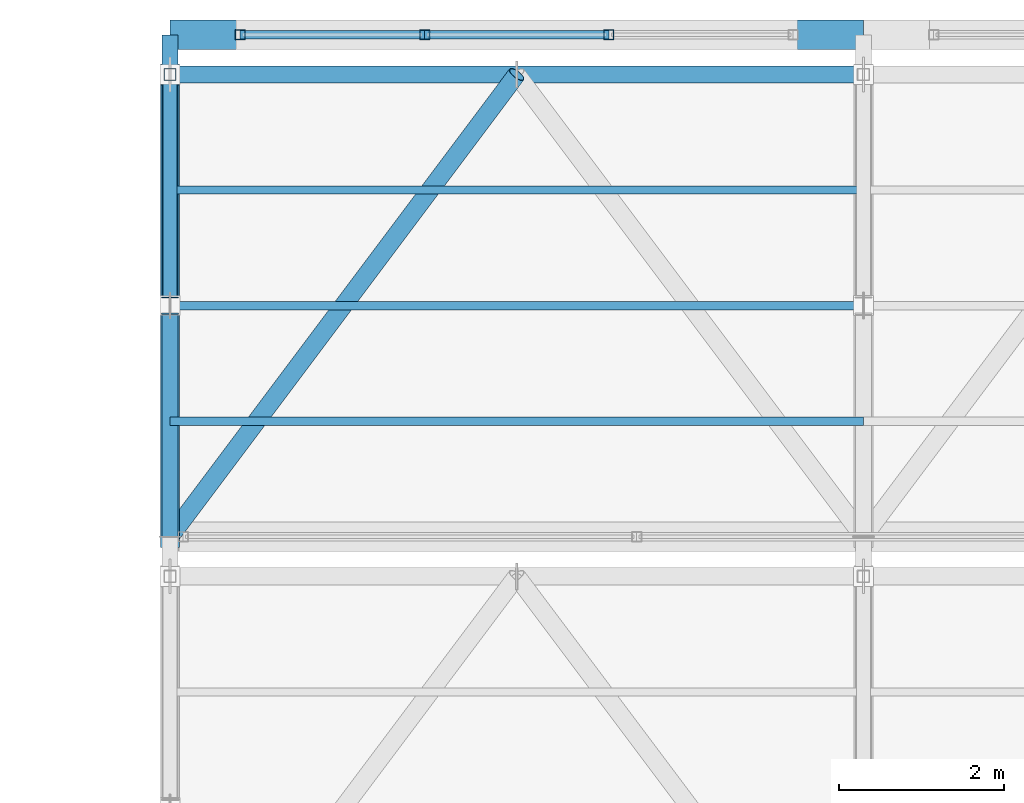
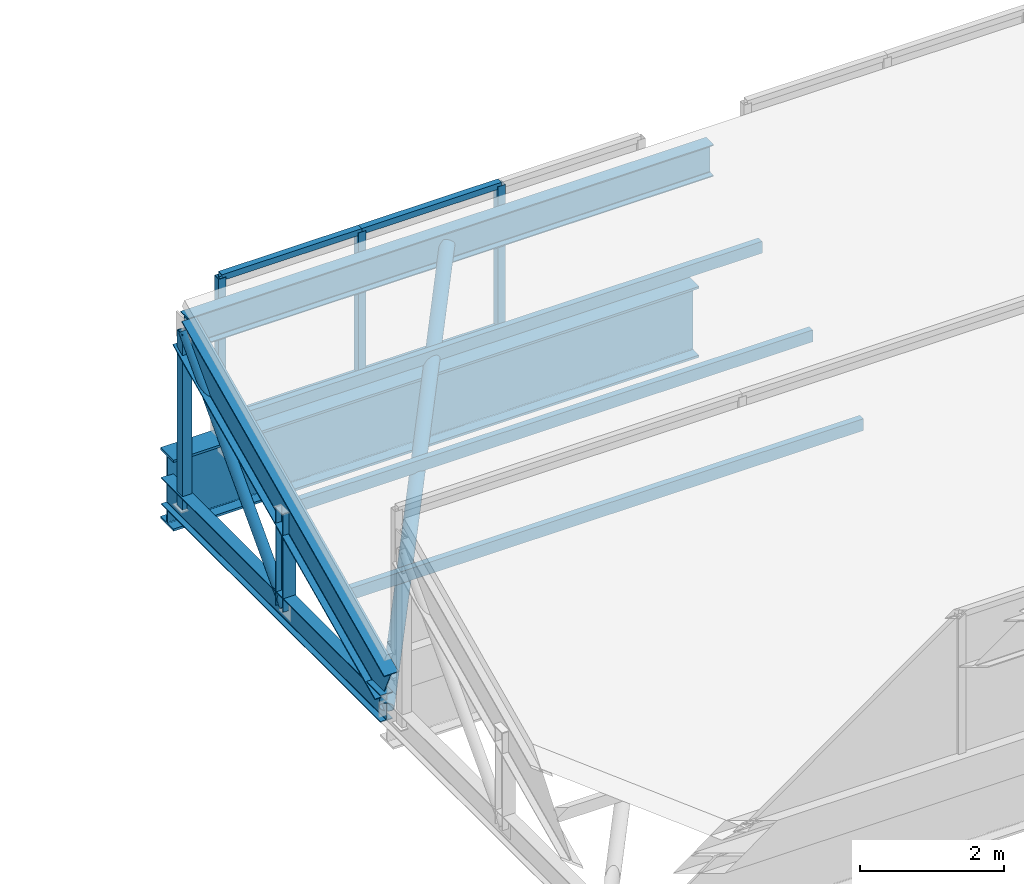
# One storey, part 68 of 217: 17 members, 1 beam, 1 element without a shape of its own.
"""IFC4 building model written with IfcOpenShell, lengths in metres."""

from ifc_helpers import new_model, si_unit, direction, frame, origin, origin_2d, place, context, subcontext, project, spatial, hollow_rectangle, hollow_circle, i_section, extrude, material, material_profile, profile_set, type_object, element, aggregate, save


model = new_model("IFC4")

# Units and contexts
model_context = context("Model", 3, precision=1e-05, world=origin(), true_north=direction((0.0, 1.0)))
body_context = subcontext(model_context, "Body", "Model", "MODEL_VIEW")
ifc_project = project(units=[si_unit("LENGTHUNIT", "METRE"), si_unit("AREAUNIT", "SQUARE_METRE"), si_unit("VOLUMEUNIT", "CUBIC_METRE"), si_unit("PLANEANGLEUNIT", "RADIAN"), si_unit("MASSUNIT", "GRAM", prefix="KILO")], contexts=[model_context])

# Site, building, storey
site_placement = place(None, origin())
site = spatial("IfcSite", under=ifc_project, at=site_placement, CompositionType="ELEMENT")
building_placement = place(site_placement, origin())
building = spatial("IfcBuilding", under=site, at=building_placement, Name="Zuvorla Pavilion Media Centre", CompositionType="ELEMENT")
storey_placement = place(building_placement, frame((0.0, 0.0, 9.60009765625)))
storey = spatial("IfcBuildingStorey", under=building, at=storey_placement, Name="L02", CompositionType="ELEMENT", Elevation=9.60009765625)

# Beam
ifc_material_1 = material(Name="Steel S355", Category="steel")
ifc_material_profile_1 = material_profile(ifc_material_1, i_section(OverallWidth=0.360107421875, OverallDepth=1.199951171875, WebThickness=0.02001953125, FlangeThickness=0.0380859375, FilletRadius=0.02392578125, at=origin_2d()), Name="PG 1200x360x38")
ifc_profile_set_1 = profile_set([ifc_material_profile_1], Name="Steel S355")
beam_type = type_object("IfcBeamType", Name="BM-PG1200", PredefinedType="BEAM", material=ifc_profile_set_1)
beam_placement = place(storey_placement, frame((66.800048828125, 120.0, -0.88818359375), z_axis=(1.0, 0.0, 0.0), x_axis=(0.0, 1.0, 0.0)))
element("IfcBeam", 1, at=beam_placement, inside=storey, type_object=beam_type, Name="L02 beam B01 1808", PredefinedType="BEAM", context=body_context, shape_type="SweptSolid", body=[
    extrude(i_section(OverallWidth=0.360107421875, OverallDepth=1.199951171875, WebThickness=0.02001953125, FlangeThickness=0.0380859375, FilletRadius=0.02392578125, at=origin_2d()), origin(), (0.0, 0.0, 1.0), 8.39990234375),
])

# Curtain wall, members
ifc_material_2 = material(Name="Unitised anodised aluminium and solar glass curtain wall", Category="aluminium")
curtain_wall_type = type_object("IfcCurtainWallType", Name="CW-SYS-89", PredefinedType="USERDEFINED", material=ifc_material_2)
curtain_wall_placement = place(storey_placement, origin())
curtain_wall = element("IfcCurtainWall", 2, at=curtain_wall_placement, inside=storey, type_object=curtain_wall_type, Name="L02 curtain wall CW89 216", ObjectType="CURTAIN WALL", PredefinedType="USERDEFINED")
ifc_material_3 = material(Name="Anodised aluminium 6063-T6", Category="aluminium")
ifc_material_profile_2 = material_profile(ifc_material_3, hollow_rectangle(XDim=0.1201171875, YDim=0.1201171875, WallThickness=0.0048828125, at=origin_2d()), Name="ALU MULL 120x120")
ifc_profile_set_2 = profile_set([ifc_material_profile_2], Name="Anodised aluminium 6063-T6")
member_type_1 = type_object("IfcMemberType", Name="CW-MULL-120", PredefinedType="MULLION", material=ifc_profile_set_2)
member_1_placement = place(storey_placement, frame((67.650390625, 120.0, 0.0), z_axis=(0.0, 0.0, 1.0), x_axis=(1.0, 0.0, 0.0)))
member_1 = element("IfcMember", 3, at=member_1_placement, type_object=member_type_1, Name="CW89 mullion 1", PredefinedType="MULLION", context=body_context, shape_type="SweptSolid", body=[
    extrude(hollow_rectangle(XDim=0.1201171875, YDim=0.1201171875, WallThickness=0.0048828125, at=origin_2d()), origin(), (0.0, 0.0, 1.0), 2.419921875),
])
member_2_placement = place(storey_placement, frame((69.883544921875, 120.0, 0.0), z_axis=(0.0, 0.0, 1.0), x_axis=(1.0, 0.0, 0.0)))
member_2 = element("IfcMember", 4, at=member_2_placement, type_object=member_type_1, Name="CW89 mullion 2", PredefinedType="MULLION", context=body_context, shape_type="SweptSolid", body=[
    extrude(hollow_rectangle(XDim=0.1201171875, YDim=0.1201171875, WallThickness=0.0048828125, at=origin_2d()), origin(), (0.0, 0.0, 1.0), 2.419921875),
])
member_3_placement = place(storey_placement, frame((72.116455078125, 120.0, 0.0), z_axis=(0.0, 0.0, 1.0), x_axis=(1.0, 0.0, 0.0)))
member_3 = element("IfcMember", 5, at=member_3_placement, type_object=member_type_1, Name="CW89 mullion 3", PredefinedType="MULLION", context=body_context, shape_type="SweptSolid", body=[
    extrude(hollow_rectangle(XDim=0.1201171875, YDim=0.1201171875, WallThickness=0.0048828125, at=origin_2d()), origin(), (0.0, 0.0, 1.0), 2.419921875),
])
ifc_material_profile_3 = material_profile(ifc_material_3, hollow_rectangle(XDim=0.10009765625, YDim=0.10009765625, WallThickness=0.00439453125, at=origin_2d()), Name="ALU TRAN 100x100")
ifc_profile_set_3 = profile_set([ifc_material_profile_3], Name="Anodised aluminium 6063-T6")
member_type_2 = type_object("IfcMemberType", Name="CW-TRAN-100", PredefinedType="USERDEFINED", material=ifc_profile_set_3)
member_4_placement = place(storey_placement, frame((67.650390625, 120.0, 0.0), z_axis=(1.0, 0.0, 0.0), x_axis=(0.0, 1.0, 0.0)))
member_4 = element("IfcMember", 6, at=member_4_placement, type_object=member_type_2, Name="CW89 transom 1.1", ObjectType="TRANSOM", PredefinedType="USERDEFINED", context=body_context, shape_type="SweptSolid", body=[
    extrude(hollow_rectangle(XDim=0.10009765625, YDim=0.10009765625, WallThickness=0.00439453125, at=origin_2d()), origin(), (0.0, 0.0, 1.0), 2.233154296875),
])
member_5_placement = place(storey_placement, frame((67.650390625, 120.0, 2.419921875), z_axis=(1.0, 0.0, 0.0), x_axis=(0.0, 1.0, 0.0)))
member_5 = element("IfcMember", 7, at=member_5_placement, type_object=member_type_2, Name="CW89 transom 1.2", ObjectType="TRANSOM", PredefinedType="USERDEFINED", context=body_context, shape_type="SweptSolid", body=[
    extrude(hollow_rectangle(XDim=0.10009765625, YDim=0.10009765625, WallThickness=0.00439453125, at=origin_2d()), origin(), (0.0, 0.0, 1.0), 2.233154296875),
])
member_6_placement = place(storey_placement, frame((69.883544921875, 120.0, 0.0), z_axis=(1.0, 0.0, 0.0), x_axis=(0.0, 1.0, 0.0)))
member_6 = element("IfcMember", 8, at=member_6_placement, type_object=member_type_2, Name="CW89 transom 2.1", ObjectType="TRANSOM", PredefinedType="USERDEFINED", context=body_context, shape_type="SweptSolid", body=[
    extrude(hollow_rectangle(XDim=0.10009765625, YDim=0.10009765625, WallThickness=0.00439453125, at=origin_2d()), origin(), (0.0, 0.0, 1.0), 2.23291015625),
])
member_7_placement = place(storey_placement, frame((69.883544921875, 120.0, 2.419921875), z_axis=(1.0, 0.0, 0.0), x_axis=(0.0, 1.0, 0.0)))
member_7 = element("IfcMember", 9, at=member_7_placement, type_object=member_type_2, Name="CW89 transom 2.2", ObjectType="TRANSOM", PredefinedType="USERDEFINED", context=body_context, shape_type="SweptSolid", body=[
    extrude(hollow_rectangle(XDim=0.10009765625, YDim=0.10009765625, WallThickness=0.00439453125, at=origin_2d()), origin(), (0.0, 0.0, 1.0), 2.23291015625),
])
aggregate(curtain_wall, [member_1, member_2, member_3, member_4, member_5, member_6, member_7])

# Members
ifc_material_profile_4 = material_profile(ifc_material_1, hollow_circle(Radius=0.084228515625, WallThickness=0.008056640625, at=origin_2d()), Name="CHS 168.3x8")
ifc_profile_set_4 = profile_set([ifc_material_profile_4], Name="Steel S355")
member_type_3 = type_object("IfcMemberType", Name="MEM-BRC-CHS168", PredefinedType="BRACE", material=ifc_profile_set_4)
member_8_placement = place(storey_placement, frame((66.800048828125, 116.719970703125, -0.880126953125), z_axis=(0.0, 0.68676242614, 0.726881950555), x_axis=(-1.0, 0.0, 0.0)))
element("IfcMember", 10, at=member_8_placement, inside=storey, type_object=member_type_3, Name="L02 diagonal brace TB03 408", PredefinedType="BRACE", context=body_context, shape_type="SweptSolid", body=[
    extrude(hollow_circle(Radius=0.084228515625, WallThickness=0.008056640625, at=origin_2d()), origin(), (0.0, 0.0, 1.0), 4.0771484375),
])
ifc_material_profile_5 = material_profile(ifc_material_1, hollow_circle(Radius=0.109619140625, WallThickness=0.010009765625, at=origin_2d()), Name="CHS 219.1x10")
ifc_profile_set_5 = profile_set([ifc_material_profile_5], Name="Steel S355")
member_type_4 = type_object("IfcMemberType", Name="MEM-BRC-CHS219", PredefinedType="BRACE", material=ifc_profile_set_5)
member_9_placement = place(storey_placement, frame((66.800048828125, 113.919921875, -0.880126953125), z_axis=(0.552511596944, 0.736703540702, 0.389870271191), x_axis=(-0.800008370399, 0.599988839305, 0.0)))
element("IfcMember", 11, at=member_9_placement, inside=storey, type_object=member_type_4, Name="L02 diagonal brace TB02 451", PredefinedType="BRACE", context=body_context, shape_type="SweptSolid", body=[
    extrude(hollow_circle(Radius=0.109619140625, WallThickness=0.010009765625, at=origin_2d()), origin(), (0.0, 0.0, 1.0), 7.6015625),
])
ifc_material_profile_6 = material_profile(ifc_material_1, i_section(OverallWidth=0.19140625, OverallDepth=0.4599609375, WebThickness=0.010009765625, FlangeThickness=0.01611328125, FilletRadius=0.01025390625, at=origin_2d()), Name="UB 457x191x82")
ifc_profile_set_6 = profile_set([ifc_material_profile_6], Name="Steel S355")
member_type_5 = type_object("IfcMemberType", Name="MEM-CHD-UB457", PredefinedType="CHORD", material=ifc_profile_set_6)
member_10_placement = place(storey_placement, frame((66.800048828125, 113.919921875, -0.880126953125), z_axis=(0.0, 1.0, 0.0), x_axis=(-1.0, 0.0, 0.0)))
element("IfcMember", 12, at=member_10_placement, inside=storey, type_object=member_type_5, Name="L02 chord TC03 405", PredefinedType="CHORD", context=body_context, shape_type="SweptSolid", body=[
    extrude(i_section(OverallWidth=0.19140625, OverallDepth=0.4599609375, WebThickness=0.010009765625, FlangeThickness=0.01611328125, FilletRadius=0.01025390625, at=origin_2d()), origin(), (0.0, 0.0, 1.0), 6.080078125),
])
ifc_material_profile_7 = material_profile(ifc_material_1, i_section(OverallWidth=0.2099609375, OverallDepth=0.53662109375, WebThickness=0.0107421875, FlangeThickness=0.017333984375, FilletRadius=0.0126953125, at=origin_2d()), Name="UB 533x210x101")
ifc_profile_set_7 = profile_set([ifc_material_profile_7], Name="Steel S355")
member_type_6 = type_object("IfcMemberType", Name="MEM-CHD-UB533", PredefinedType="CHORD", material=ifc_profile_set_7)
member_11_placement = place(storey_placement, frame((66.800048828125, 119.52001953125, 2.08349609375), z_axis=(1.0, 0.0, 0.0), x_axis=(0.0, 1.0, 0.0)))
element("IfcMember", 13, at=member_11_placement, inside=storey, type_object=member_type_6, Name="L02 chord TC02 450", PredefinedType="CHORD", context=body_context, shape_type="SweptSolid", body=[
    extrude(i_section(OverallWidth=0.2099609375, OverallDepth=0.53662109375, WebThickness=0.0107421875, FlangeThickness=0.017333984375, FilletRadius=0.0126953125, at=origin_2d()), origin(), (0.0, 0.0, 1.0), 8.39990234375),
])
ifc_material_profile_8 = material_profile(ifc_material_1, i_section(OverallWidth=0.22900390625, OverallDepth=0.6123046875, WebThickness=0.011962890625, FlangeThickness=0.01953125, FilletRadius=0.0126953125, at=origin_2d()), Name="UB 610x229x125")
ifc_profile_set_8 = profile_set([ifc_material_profile_8], Name="Steel S355")
member_type_7 = type_object("IfcMemberType", Name="MEM-CHD-UB610", PredefinedType="CHORD", material=ifc_profile_set_8)
member_12_placement = place(storey_placement, frame((66.800048828125, 113.919921875, -0.5166015625), z_axis=(0.0, 0.907005731366, 0.421118277053), x_axis=(-1.0, 0.0, 0.0)))
element("IfcMember", 14, at=member_12_placement, inside=storey, type_object=member_type_7, Name="L02 chord TC01 406", PredefinedType="CHORD", context=body_context, shape_type="SweptSolid", body=[
    extrude(i_section(OverallWidth=0.22900390625, OverallDepth=0.6123046875, WebThickness=0.011962890625, FlangeThickness=0.01953125, FilletRadius=0.0126953125, at=origin_2d()), origin(), (0.0, 0.0, 1.0), 6.17431640625),
])
ifc_material_profile_9 = material_profile(ifc_material_1, hollow_rectangle(XDim=0.10009765625, YDim=0.199951171875, WallThickness=0.008056640625, at=origin_2d()), Name="RHS 200x100x8")
ifc_profile_set_9 = profile_set([ifc_material_profile_9], Name="Steel S355")
member_type_8 = type_object("IfcMemberType", Name="MEM-PUR-RHS200", PredefinedType="PURLIN", material=ifc_profile_set_9)
for number, where, z_axis, x_axis, name in (
    (15, (66.800048828125, 115.320068359375, 0.133544921875), (1.0, 0.0, 0.0), (0.0, 1.0, 0.0), "L02 purlin PR01 453"),
    (16, (66.800048828125, 116.719970703125, 0.783447265625), (1.0, 0.0, 0.0), (0.0, 1.0, 0.0), "L02 purlin PR01 454"),
    (17, (66.800048828125, 118.1201171875, 1.43359375), (1.0, 0.0, 0.0), (0.0, 1.0, 0.0), "L02 purlin PR01 455"),
):
    element("IfcMember", number, at=place(storey_placement, frame(where, z_axis=z_axis, x_axis=x_axis)), inside=storey, type_object=member_type_8, Name=name, PredefinedType="PURLIN", context=body_context, shape_type="SweptSolid", body=[
        extrude(hollow_rectangle(XDim=0.10009765625, YDim=0.199951171875, WallThickness=0.008056640625, at=origin_2d()), origin(), (0.0, 0.0, 1.0), 8.39990234375),
    ])
ifc_material_profile_10 = material_profile(ifc_material_1, hollow_rectangle(XDim=0.14990234375, YDim=0.14990234375, WallThickness=0.008056640625, at=origin_2d()), Name="SHS 150x150x8")
ifc_profile_set_10 = profile_set([ifc_material_profile_10], Name="Steel S355")
member_type_9 = type_object("IfcMemberType", Name="MEM-STR-SHS150", PredefinedType="STRUT", material=ifc_profile_set_10)
member_13_placement = place(storey_placement, frame((66.800048828125, 119.52001953125, -0.880126953125), z_axis=(0.0, 0.0, 1.0), x_axis=(1.0, 0.0, 0.0)))
element("IfcMember", 18, at=member_13_placement, inside=storey, type_object=member_type_9, Name="L02 vertical strut TS01 407", PredefinedType="STRUT", context=body_context, shape_type="SweptSolid", body=[
    extrude(hollow_rectangle(XDim=0.14990234375, YDim=0.14990234375, WallThickness=0.008056640625, at=origin_2d()), origin(), (0.0, 0.0, 1.0), 2.963623046875),
])
ifc_material_profile_11 = material_profile(ifc_material_1, i_section(OverallWidth=0.205810546875, OverallDepth=0.209716796875, WebThickness=0.009521484375, FlangeThickness=0.01416015625, FilletRadius=0.01025390625, at=origin_2d()), Name="UC 203x203x60")
ifc_profile_set_11 = profile_set([ifc_material_profile_11], Name="Steel S355")
member_type_10 = type_object("IfcMemberType", Name="MEM-STR-UC203", PredefinedType="STRUT", material=ifc_profile_set_11)
member_14_placement = place(storey_placement, frame((66.800048828125, 116.719970703125, -0.880126953125), z_axis=(0.0, 0.0, 1.0), x_axis=(1.0, 0.0, 0.0)))
element("IfcMember", 19, at=member_14_placement, inside=storey, type_object=member_type_10, Name="L02 vertical strut TS02 409", PredefinedType="STRUT", context=body_context, shape_type="SweptSolid", body=[
    extrude(i_section(OverallWidth=0.205810546875, OverallDepth=0.209716796875, WebThickness=0.009521484375, FlangeThickness=0.01416015625, FilletRadius=0.01025390625, at=origin_2d()), origin(), (0.0, 0.0, 1.0), 1.66357421875),
])

save(model, "model.ifc")
